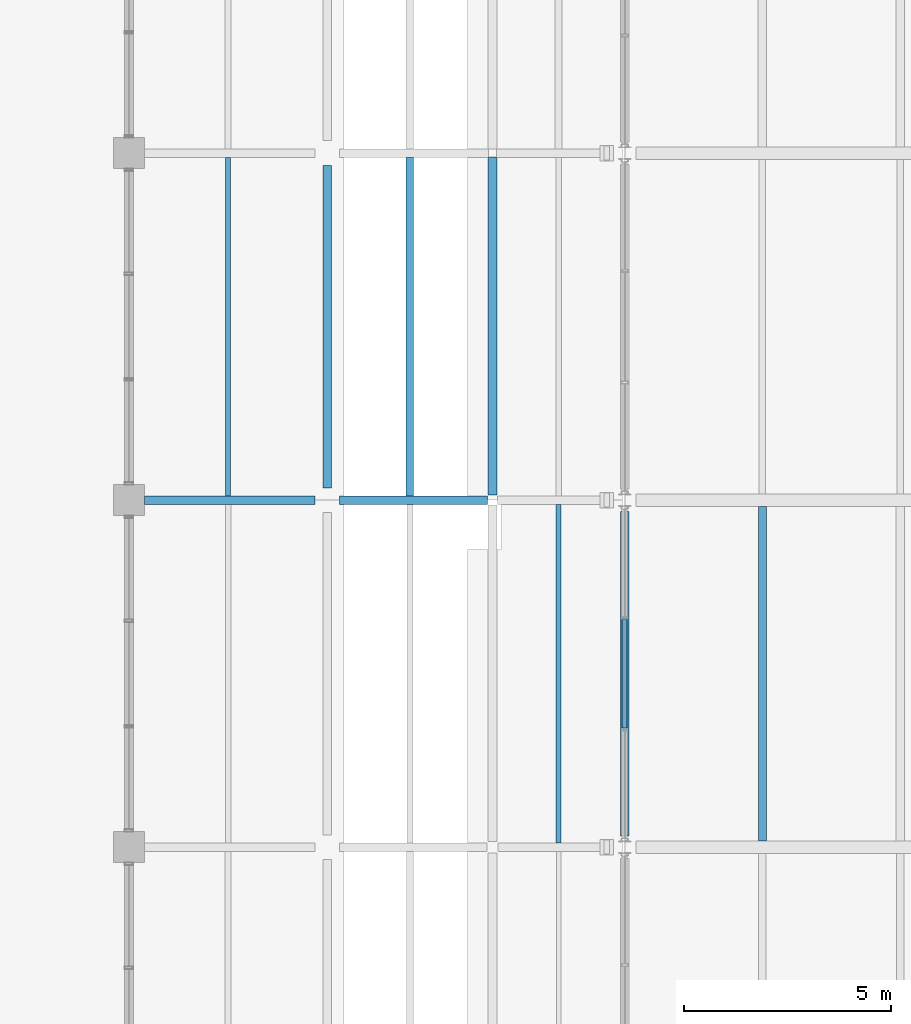
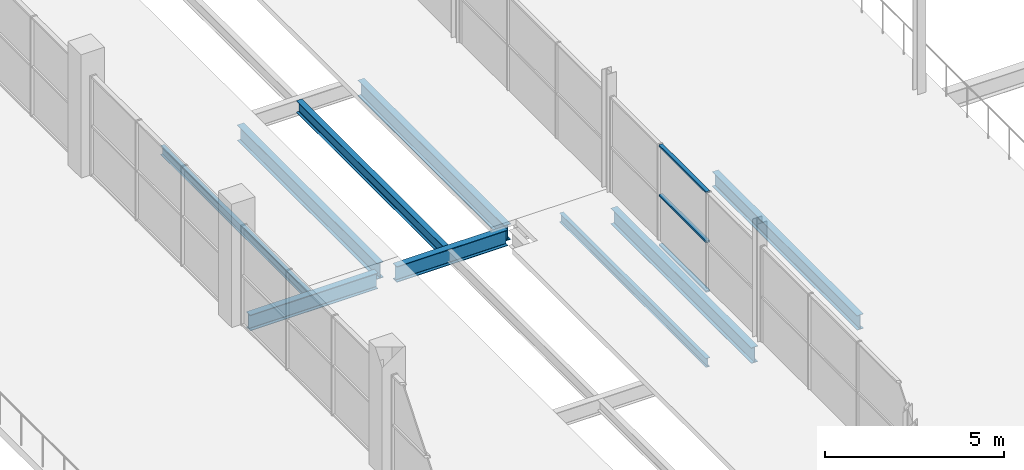
# One storey, part 100 of 161: 9 beams, 3 members, 1 element without a shape of its own.
"""IFC4 building model written with IfcOpenShell, lengths in metres."""

import ifcopenshell
import ifcopenshell.guid

model = None  # the IFC model being written
_history = None  # IfcOwnerHistory: only IFC2X3 demands one
_inside = {}  # id of a spatial element -> (the spatial element, [elements in it])
_under = {}  # id of a project, library or spatial element -> (it, [spatial elements below it])
_declared = {}  # id of a project -> (the project, [libraries it declares])
_typed = {}  # id of a type object -> (the type object, [elements of that type])
_made_of = {}  # id of a material, layer set ... -> (it, [elements and type objects made of it])


def new_model(schema):
    """Start an empty IFC model of exactly this schema.

    Asked for "IFC4X3", IfcOpenShell would pick the latest addendum, in which some entities
    have other attributes; the version numbers below select the first issue.
    IFC2X3 requires an IfcOwnerHistory on every rooted entity: one is made here for all.
    """
    global model, _history
    if schema == "IFC4X3":
        model = ifcopenshell.file(schema_version=(4, 3, 0, 0))
    else:
        model = ifcopenshell.file(schema=schema)
    _inside.clear()
    _under.clear()
    _declared.clear()
    _typed.clear()
    _made_of.clear()
    _history = None
    if model.schema == "IFC2X3":
        org = make("IfcOrganization", Name="unknown")
        user = make(
            "IfcPersonAndOrganization",
            ThePerson=make("IfcPerson", FamilyName="unknown"),
            TheOrganization=org,
        )
        app = make(
            "IfcApplication",
            ApplicationDeveloper=org,
            Version="unknown",
            ApplicationFullName="unknown",
            ApplicationIdentifier="unknown",
        )
        _history = make(
            "IfcOwnerHistory",
            OwningUser=user,
            OwningApplication=app,
            ChangeAction="ADDED",
            CreationDate=0,
        )
    return model


def make(cls, **values):
    """One entity of the class cls with the attributes given. An attribute that is None is left unset."""
    return model.create_entity(
        cls, **{name: value for name, value in values.items() if value is not None}
    )


def rooted(cls, **values):
    """An entity with a GlobalId (a new one), such as an element, a storey or a relation."""
    return make(cls, GlobalId=ifcopenshell.guid.new(), OwnerHistory=_history, **values)


def si_unit(unit_type, name, prefix=None):
    """IfcSIUnit, for example si_unit("LENGTHUNIT", "METRE", prefix="MILLI")."""
    return make("IfcSIUnit", UnitType=unit_type, Prefix=prefix, Name=name)


def assignment(units):
    """IfcUnitAssignment: the units of a project."""
    return None if units is None else make("IfcUnitAssignment", Units=units)


def point(xyz):
    """IfcCartesianPoint."""
    return None if xyz is None else make("IfcCartesianPoint", Coordinates=xyz)


def direction(xyz):
    """IfcDirection."""
    return None if xyz is None else make("IfcDirection", DirectionRatios=xyz)


def frame(location, z_axis=None, x_axis=None):
    """IfcAxis2Placement3D, a coordinate frame: its origin and axes. An axis left out is left unset."""
    return make(
        "IfcAxis2Placement3D",
        Location=point(location),
        Axis=direction(z_axis),
        RefDirection=direction(x_axis),
    )


def frame_2d(location, x_axis=None):
    """IfcAxis2Placement2D, a coordinate frame in the plane: its origin and x axis."""
    return make(
        "IfcAxis2Placement2D", Location=point(location), RefDirection=direction(x_axis)
    )


def origin():
    """The frame at (0, 0, 0) with its axes left unset."""
    return frame((0.0, 0.0, 0.0))


def origin_2d():
    """The frame at (0, 0) in the plane with its x axis left unset."""
    return frame_2d((0.0, 0.0))


def place(relative_to, where):
    """IfcLocalPlacement: puts the frame where relative to a parent placement (None: the world)."""
    return make(
        "IfcLocalPlacement", PlacementRelTo=relative_to, RelativePlacement=where
    )


def context(
    kind, dimensions, precision=None, world=None, true_north=None, identifier=None
):
    """IfcGeometricRepresentationContext, for example the 3D "Model" context."""
    return make(
        "IfcGeometricRepresentationContext",
        ContextIdentifier=identifier,
        ContextType=kind,
        CoordinateSpaceDimension=dimensions,
        Precision=precision,
        WorldCoordinateSystem=world,
        TrueNorth=true_north,
    )


def subcontext(parent, identifier, kind, view, scale=None):
    """IfcGeometricRepresentationSubContext, for example "Body" below "Model"."""
    return make(
        "IfcGeometricRepresentationSubContext",
        ContextIdentifier=identifier,
        ContextType=kind,
        ParentContext=parent,
        TargetScale=scale,
        TargetView=view,
    )


def project(units=None, contexts=None):
    """IfcProject with its units and contexts."""
    return rooted(
        "IfcProject",
        Name="project",
        RepresentationContexts=contexts,
        UnitsInContext=assignment(units),
    )


def spatial(cls, under=None, at=None, **own):
    """A site, building, storey or space (cls), placed at a placement, below another one or the project."""
    s = rooted(cls, ObjectPlacement=at, **own)
    if under is not None:
        _under.setdefault(under.id(), (under, []))[1].append(s)
    return s


def profile(cls, at=None, kind="AREA", **sizes):
    """A parametric profile (cls). Its sizes go by their IFC names, for example OverallWidth=200.0."""
    return make(cls, ProfileType=kind, Position=at, **sizes)


def hollow_rectangle(**sizes):
    """IfcRectangleHollowProfileDef."""
    return profile("IfcRectangleHollowProfileDef", **sizes)


def i_section(**sizes):
    """IfcIShapeProfileDef."""
    return profile("IfcIShapeProfileDef", **sizes)


def extrude(swept, where, along, depth):
    """IfcExtrudedAreaSolid: the profile swept, set in the frame where, extruded along a direction by depth."""
    return make(
        "IfcExtrudedAreaSolid",
        SweptArea=swept,
        Position=where,
        ExtrudedDirection=direction(along),
        Depth=depth,
    )


def shape(context_of_items, identifier, shape_type, items):
    """IfcShapeRepresentation: the items that make up one representation, for example the "Body"."""
    return make(
        "IfcShapeRepresentation",
        ContextOfItems=context_of_items,
        RepresentationIdentifier=identifier,
        RepresentationType=shape_type,
        Items=items,
    )


def material(Name=None, Category=None):
    """IfcMaterial."""
    return make("IfcMaterial", Name=Name, Category=Category)


def material_profile(
    of_material, cross_section, Name=None, Category=None, Priority=None
):
    """IfcMaterialProfile: a cross section and its material."""
    return make(
        "IfcMaterialProfile",
        Name=Name,
        Material=of_material,
        Profile=cross_section,
        Priority=Priority,
        Category=Category,
    )


def profile_set(profiles, Name=None, composite=None):
    """IfcMaterialProfileSet."""
    return make(
        "IfcMaterialProfileSet",
        Name=Name,
        MaterialProfiles=profiles,
        CompositeProfile=composite,
    )


def made_of(thing, what):
    """Note that an element or type object is made of a material, layer set ...; save() writes the relation."""
    if what is not None:
        _made_of.setdefault(what.id(), (what, []))[1].append(thing)
    return thing


def type_object(cls, material=None, **own):
    """A type object (cls), such as IfcWallType, which elements share."""
    return made_of(rooted(cls, **own), material)


def element(
    cls,
    number,
    at=None,
    inside=None,
    cuts=None,
    type_object=None,
    material=None,
    context=None,
    identifier="Body",
    shape_type=None,
    held_by="IfcProductDefinitionShape",
    body=None,
    shapes=None,
    **own,
):
    """One element of the class cls, such as IfcWall. Its Tag is "e" and its number.

    at: its placement. inside: the storey or other place that contains it. cuts: it is an
    opening in that element (IfcRelVoidsElement). A single representation is given by context,
    identifier, shape_type and body (its items); several are given by shapes. held_by: the class
    of the entity that holds the representations. save() writes the other relations.
    """
    e = rooted(cls, Tag="e%d" % number, ObjectPlacement=at, **own)
    if body is not None:
        shapes = [shape(context, identifier, shape_type, body)]
    if shapes is not None:
        e.Representation = make(held_by, Representations=shapes)
    if inside is not None:
        _inside.setdefault(inside.id(), (inside, []))[1].append(e)
    if cuts is not None:
        rooted(
            "IfcRelVoidsElement", RelatingBuildingElement=cuts, RelatedOpeningElement=e
        )
    if type_object is not None:
        _typed.setdefault(type_object.id(), (type_object, []))[1].append(e)
    return made_of(e, material)


def aggregate(whole, parts):
    """IfcRelAggregates: a whole, such as a stair, and the parts it consists of."""
    return rooted("IfcRelAggregates", RelatingObject=whole, RelatedObjects=parts)


def save(model, path):
    """Write the relations noted so far, then the file.

    IfcRelAggregates (storeys below a building ...), IfcRelContainedInSpatialStructure (elements
    in a storey), IfcRelDefinesByType, IfcRelAssociatesMaterial and IfcRelDeclares: one each for
    every whole, place, type object, material and project.
    """
    for whole, parts in _under.values():
        aggregate(whole, parts)
    for where, things in _inside.values():
        rooted(
            "IfcRelContainedInSpatialStructure",
            RelatedElements=things,
            RelatingStructure=where,
        )
    for kind, things in _typed.values():
        rooted("IfcRelDefinesByType", RelatedObjects=things, RelatingType=kind)
    for what, things in _made_of.values():
        rooted("IfcRelAssociatesMaterial", RelatedObjects=things, RelatingMaterial=what)
    for by, libraries in _declared.values():
        rooted("IfcRelDeclares", RelatingContext=by, RelatedDefinitions=libraries)
    model.write(path)


model = new_model("IFC4")

# Units and contexts
model_context = context("Model", 3, precision=1e-05, world=origin(), true_north=direction((0.0, 1.0)))
body_context = subcontext(model_context, "Body", "Model", "MODEL_VIEW")
ifc_project = project(units=[si_unit("LENGTHUNIT", "METRE"), si_unit("AREAUNIT", "SQUARE_METRE"), si_unit("VOLUMEUNIT", "CUBIC_METRE"), si_unit("PLANEANGLEUNIT", "RADIAN"), si_unit("MASSUNIT", "GRAM", prefix="KILO"), si_unit("THERMODYNAMICTEMPERATUREUNIT", "KELVIN")], contexts=[model_context])

# Site, building, storey
site_placement = place(None, origin())
site = spatial("IfcSite", under=ifc_project, at=site_placement, CompositionType="ELEMENT")
building_placement = place(site_placement, origin())
building = spatial("IfcBuilding", under=site, at=building_placement, Name="Nduvali Passage Aquatics Centre", CompositionType="ELEMENT")
storey_placement = place(building_placement, frame((0.0, 0.0, 4.800048828125)))
storey = spatial("IfcBuildingStorey", under=building, at=storey_placement, Name="L01", CompositionType="ELEMENT", Elevation=4.800048828125)

# Curtain wall, members
ifc_material_1 = material(Name="Aluminium EN AW-6063 T6", Category="aluminium")
curtain_wall_type = type_object("IfcCurtainWallType", Name="ENV-CW-FOYR", PredefinedType="NOTDEFINED", material=ifc_material_1)
curtain_wall_placement = place(storey_placement, origin())
curtain_wall = element("IfcCurtainWall", 1, at=curtain_wall_placement, inside=storey, type_object=curtain_wall_type, Name="L01 Passage Foyer Upper CW 073", PredefinedType="NOTDEFINED")
ifc_material_profile_1 = material_profile(ifc_material_1, hollow_rectangle(XDim=0.1201171875, YDim=0.06005859375, WallThickness=0.00390625, at=origin_2d()), Name="ALU TRANSOM 120x60x4")
ifc_profile_set_1 = profile_set([ifc_material_profile_1], Name="Aluminium EN AW-6063 T6")
member_type = type_object("IfcMemberType", Name="ENV-MEM-TRN60", PredefinedType="USERDEFINED", material=ifc_profile_set_1)
member_1_placement = place(storey_placement, frame((138.0, 53.280029296875, 0.030029296875), z_axis=(0.0, 1.0, 0.0), x_axis=(-1.0, 0.0, 0.0)))
member_1 = element("IfcMember", 2, at=member_1_placement, type_object=member_type, Name="Passage Foyer Upper CW Transom B2-R0", ObjectType="TRANSOM", PredefinedType="USERDEFINED", context=body_context, shape_type="SweptSolid", body=[
    extrude(hollow_rectangle(XDim=0.1201171875, YDim=0.06005859375, WallThickness=0.00390625, at=origin_2d()), origin(), (0.0, 0.0, 1.0), 2.639892578125),
])
member_2_placement = place(storey_placement, frame((138.0, 53.280029296875, 1.71826171875), z_axis=(0.0, 1.0, 0.0), x_axis=(-1.0, 0.0, 0.0)))
member_2 = element("IfcMember", 3, at=member_2_placement, type_object=member_type, Name="Passage Foyer Upper CW Transom B2-R1", ObjectType="TRANSOM", PredefinedType="USERDEFINED", context=body_context, shape_type="SweptSolid", body=[
    extrude(hollow_rectangle(XDim=0.1201171875, YDim=0.06005859375, WallThickness=0.00390625, at=origin_2d()), origin(), (0.0, 0.0, 1.0), 2.639892578125),
])
member_3_placement = place(storey_placement, frame((138.0, 53.280029296875, 3.40625), z_axis=(0.0, 1.0, 0.0), x_axis=(-1.0, 0.0, 0.0)))
member_3 = element("IfcMember", 4, at=member_3_placement, type_object=member_type, Name="Passage Foyer Upper CW Transom B2-R2", ObjectType="TRANSOM", PredefinedType="USERDEFINED", context=body_context, shape_type="SweptSolid", body=[
    extrude(hollow_rectangle(XDim=0.1201171875, YDim=0.06005859375, WallThickness=0.00390625, at=origin_2d()), origin(), (0.0, 0.0, 1.0), 2.639892578125),
])
aggregate(curtain_wall, [member_1, member_2, member_3])

# Beams
ifc_material_2 = material(Name="Steel S355", Category="steel")
ifc_material_profile_2 = material_profile(ifc_material_2, i_section(OverallWidth=0.210693359375, OverallDepth=0.53955078125, WebThickness=0.01171875, FlangeThickness=0.018798828125, FilletRadius=0.0126953125, at=origin_2d()), Name="UKB 533x210x109")
ifc_profile_set_2 = profile_set([ifc_material_profile_2], Name="Steel S355")
beam_type_1 = type_object("IfcBeamType", Name="STR-BM-UKB533", PredefinedType="BEAM", material=ifc_profile_set_2)
beam_1_placement = place(storey_placement, frame((126.375, 58.800048828125, -0.273681640625), z_axis=(1.0, 0.0, 0.0), x_axis=(0.0, 1.0, 0.0)))
element("IfcBeam", 5, at=beam_1_placement, inside=storey, type_object=beam_type_1, Name="L01 Primary X-Girder B6-0487", PredefinedType="BEAM", context=body_context, shape_type="SweptSolid", body=[
    extrude(i_section(OverallWidth=0.210693359375, OverallDepth=0.53955078125, WebThickness=0.01171875, FlangeThickness=0.018798828125, FilletRadius=0.0126953125, at=origin_2d()), origin(), (0.0, 0.0, 1.0), 4.125),
])
beam_2_placement = place(storey_placement, frame((131.10009765625, 58.800048828125, -0.273681640625), z_axis=(1.0, 0.0, 0.0), x_axis=(0.0, 1.0, 0.0)))
element("IfcBeam", 6, at=beam_2_placement, inside=storey, type_object=beam_type_1, Name="L01 Primary X-Girder B6-0488", PredefinedType="BEAM", context=body_context, shape_type="SweptSolid", body=[
    extrude(i_section(OverallWidth=0.210693359375, OverallDepth=0.53955078125, WebThickness=0.01171875, FlangeThickness=0.018798828125, FilletRadius=0.0126953125, at=origin_2d()), origin(), (0.0, 0.0, 1.0), 3.57763671875),
])
beam_3_placement = place(storey_placement, frame((130.800048828125, 59.10009765625, -0.273681640625), z_axis=(0.0, 1.0, 0.0), x_axis=(-1.0, 0.0, 0.0)))
element("IfcBeam", 7, at=beam_3_placement, inside=storey, type_object=beam_type_1, Name="L01 Primary Y-Girder B6-0643", PredefinedType="BEAM", context=body_context, shape_type="SweptSolid", body=[
    extrude(i_section(OverallWidth=0.210693359375, OverallDepth=0.53955078125, WebThickness=0.01171875, FlangeThickness=0.018798828125, FilletRadius=0.0126953125, at=origin_2d()), origin(), (0.0, 0.0, 1.0), 7.7998046875),
])
beam_4_placement = place(storey_placement, frame((134.800048828125, 58.922119140625, -0.273681640625), z_axis=(0.0, 1.0, 0.0), x_axis=(-1.0, 0.0, 0.0)))
element("IfcBeam", 8, at=beam_4_placement, inside=storey, type_object=beam_type_1, Name="L01 Primary Y-Girder B6-0654", PredefinedType="BEAM", context=body_context, shape_type="SweptSolid", body=[
    extrude(i_section(OverallWidth=0.210693359375, OverallDepth=0.53955078125, WebThickness=0.01171875, FlangeThickness=0.018798828125, FilletRadius=0.0126953125, at=origin_2d()), origin(), (0.0, 0.0, 1.0), 8.180908203125),
])
ifc_material_profile_3 = material_profile(ifc_material_2, i_section(OverallWidth=0.210693359375, OverallDepth=0.53955078125, WebThickness=0.01171875, FlangeThickness=0.018798828125, FilletRadius=0.0126953125, at=origin_2d()), Name="UKB 533x210x109")
ifc_profile_set_3 = profile_set([ifc_material_profile_3], Name="Steel S355")
beam_type_2 = type_object("IfcBeamType", Name="STR-BM-UKB533-EXT", PredefinedType="BEAM", material=ifc_profile_set_3)
beam_5_placement = place(storey_placement, frame((138.0, 50.675048828125, -0.553955078125), z_axis=(0.0, 1.0, 0.0), x_axis=(-1.0, 0.0, 0.0)))
element("IfcBeam", 9, at=beam_5_placement, inside=storey, type_object=beam_type_2, Name="L01 Primary Y-Girder B6E-0661", PredefinedType="BEAM", context=body_context, shape_type="SweptSolid", body=[
    extrude(i_section(OverallWidth=0.210693359375, OverallDepth=0.53955078125, WebThickness=0.01171875, FlangeThickness=0.018798828125, FilletRadius=0.0126953125, at=origin_2d()), origin(), (0.0, 0.0, 1.0), 7.849853515625),
])
ifc_material_profile_4 = material_profile(ifc_material_2, i_section(OverallWidth=0.179931640625, OverallDepth=0.39990234375, WebThickness=0.008544921875, FlangeThickness=0.013427734375, FilletRadius=0.02099609375, at=origin_2d()), Name="IPE 400")
ifc_profile_set_4 = profile_set([ifc_material_profile_4], Name="Steel S355")
beam_type_3 = type_object("IfcBeamType", Name="STR-JST-IPE400", PredefinedType="JOIST", material=ifc_profile_set_4)
beam_6_placement = place(storey_placement, frame((132.800048828125, 58.905517578125, -0.2041015625), z_axis=(0.0, 1.0, 0.0), x_axis=(-1.0, 0.0, 0.0)))
element("IfcBeam", 10, at=beam_6_placement, inside=storey, type_object=beam_type_3, Name="L01 Secondary Joist J5-0773", PredefinedType="JOIST", context=body_context, shape_type="SweptSolid", body=[
    extrude(i_section(OverallWidth=0.179931640625, OverallDepth=0.39990234375, WebThickness=0.008544921875, FlangeThickness=0.013427734375, FilletRadius=0.02099609375, at=origin_2d()), origin(), (0.0, 0.0, 1.0), 8.18896484375),
])
ifc_material_profile_5 = material_profile(ifc_material_2, i_section(OverallWidth=0.199951171875, OverallDepth=0.5, WebThickness=0.01025390625, FlangeThickness=0.01611328125, FilletRadius=0.02099609375, at=origin_2d()), Name="IPE 500")
ifc_profile_set_5 = profile_set([ifc_material_profile_5], Name="Steel S355")
beam_type_4 = type_object("IfcBeamType", Name="STR-JST-IPE500", PredefinedType="JOIST", material=ifc_profile_set_5)
beam_7_placement = place(storey_placement, frame((141.333251953125, 50.552490234375, -0.533935546875), z_axis=(0.0, 1.0, 0.0), x_axis=(-1.0, 0.0, 0.0)))
element("IfcBeam", 11, at=beam_7_placement, inside=storey, type_object=beam_type_4, Name="L01 Secondary Joist J5A-0768", PredefinedType="JOIST", context=body_context, shape_type="SweptSolid", body=[
    extrude(i_section(OverallWidth=0.199951171875, OverallDepth=0.5, WebThickness=0.01025390625, FlangeThickness=0.01611328125, FilletRadius=0.02099609375, at=origin_2d()), origin(), (0.0, 0.0, 1.0), 8.09521484375),
])
ifc_material_profile_6 = material_profile(ifc_material_2, i_section(OverallWidth=0.124267578125, OverallDepth=0.30712890625, WebThickness=0.008056640625, FlangeThickness=0.01220703125, FilletRadius=0.0087890625, at=origin_2d()), Name="UKB 305x127x42")
ifc_profile_set_6 = profile_set([ifc_material_profile_6], Name="Steel S355")
beam_type_5 = type_object("IfcBeamType", Name="STR-JST-UKB305L", PredefinedType="JOIST", material=ifc_profile_set_6)
beam_8_placement = place(storey_placement, frame((136.39990234375, 50.50537109375, -0.15771484375), z_axis=(0.0, 1.0, 0.0), x_axis=(-1.0, 0.0, 0.0)))
element("IfcBeam", 12, at=beam_8_placement, inside=storey, type_object=beam_type_5, Name="L01 Secondary Joist J3A-0767", PredefinedType="JOIST", context=body_context, shape_type="SweptSolid", body=[
    extrude(i_section(OverallWidth=0.124267578125, OverallDepth=0.30712890625, WebThickness=0.008056640625, FlangeThickness=0.01220703125, FilletRadius=0.0087890625, at=origin_2d()), origin(), (0.0, 0.0, 1.0), 8.189208984375),
])
beam_9_placement = place(storey_placement, frame((128.39990234375, 58.905517578125, -0.15771484375), z_axis=(0.0, 1.0, 0.0), x_axis=(-1.0, 0.0, 0.0)))
element("IfcBeam", 13, at=beam_9_placement, inside=storey, type_object=beam_type_5, Name="L01 Secondary Joist J3A-0772", PredefinedType="JOIST", context=body_context, shape_type="SweptSolid", body=[
    extrude(i_section(OverallWidth=0.124267578125, OverallDepth=0.30712890625, WebThickness=0.008056640625, FlangeThickness=0.01220703125, FilletRadius=0.0087890625, at=origin_2d()), origin(), (0.0, 0.0, 1.0), 8.18896484375),
])

save(model, "model.ifc")
